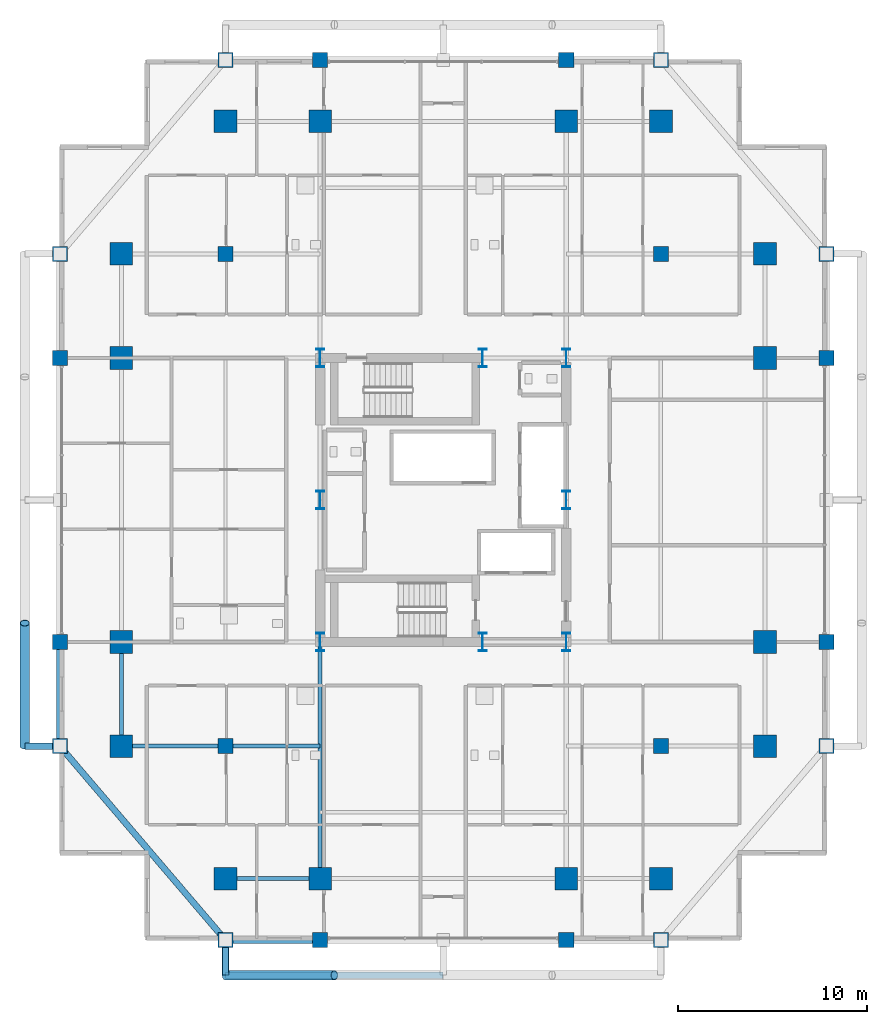
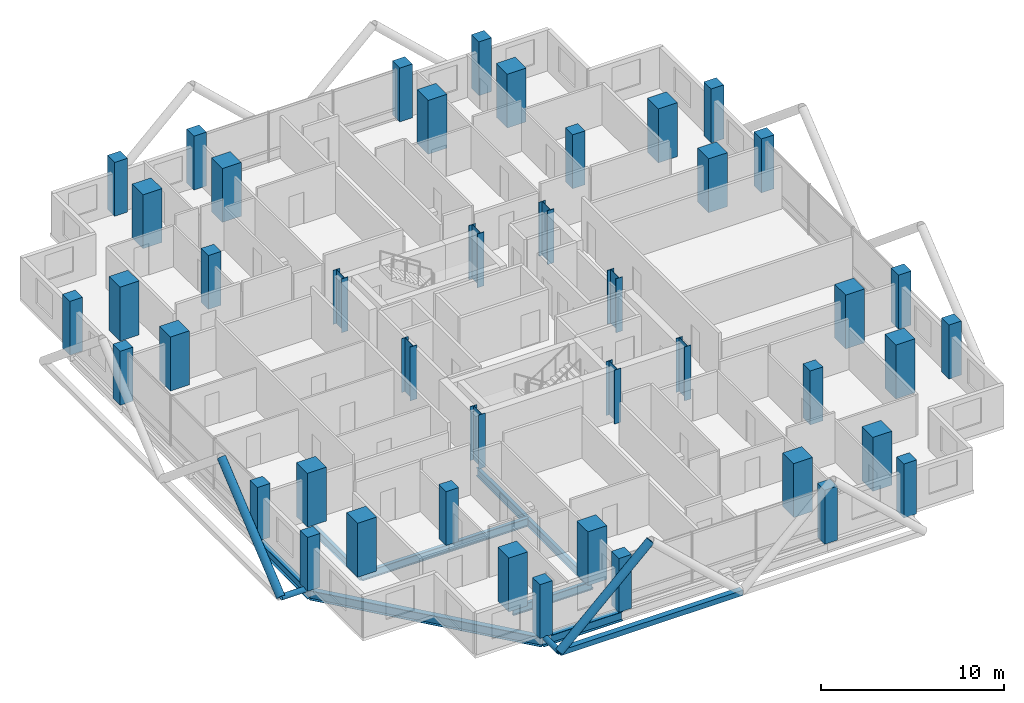
# One storey, part 1 of 25: 44 columns, 8 beams, 5 members.
"""IFC4 building model written with IfcOpenShell, lengths in metres."""

from ifc_helpers import new_model, si_unit, direction, frame, origin, origin_2d, place, context, subcontext, project, spatial, rectangle, hollow_rectangle, hollow_circle, i_section, extrude, material, material_profile, profile_set, type_object, element, save


model = new_model("IFC4")

# Units and contexts
model_context = context("Model", 3, precision=1e-05, world=origin(), true_north=direction((0.0, 1.0)))
body_context = subcontext(model_context, "Body", "Model", "MODEL_VIEW")
ifc_project = project(units=[si_unit("LENGTHUNIT", "METRE"), si_unit("AREAUNIT", "SQUARE_METRE"), si_unit("VOLUMEUNIT", "CUBIC_METRE"), si_unit("PLANEANGLEUNIT", "RADIAN"), si_unit("MASSUNIT", "GRAM", prefix="KILO")], contexts=[model_context])

# Site, building, storey
site_placement = place(None, origin())
site = spatial("IfcSite", under=ifc_project, at=site_placement, CompositionType="ELEMENT")
building_placement = place(site_placement, origin())
building = spatial("IfcBuilding", under=site, at=building_placement, Name="Barlavira Tower and Art Museum", CompositionType="ELEMENT")
storey_placement = place(building_placement, frame((0.0, 0.0, 133.199951171875)))
storey = spatial("IfcBuildingStorey", under=building, at=storey_placement, Name="L33", CompositionType="ELEMENT", Elevation=133.199951171875)

# Columns
ifc_material_1 = material(Name="Steel S355", Category="steel")
ifc_material_profile_1 = material_profile(ifc_material_1, i_section(OverallWidth=0.419921875, OverallDepth=0.9599609375, WebThickness=0.02197265625, FlangeThickness=0.033935546875, at=origin_2d()), Name="W920x387.0")
ifc_profile_set_1 = profile_set([ifc_material_profile_1], Name="Steel S355")
column_type_1 = type_object("IfcColumnType", Name="Core Composite Column W920x387 Steel S355", PredefinedType="COLUMN", material=ifc_profile_set_1)
for number, where, z_axis, x_axis, name in (
    (1, (-6.5, -7.5, 0.0), (0.0, 0.0, 1.0), (1.0, 0.0, 0.0), "L33 Column CC-L33-C1"),
    (2, (2.080078125, -7.5, 0.0), (0.0, 0.0, 1.0), (1.0, 0.0, 0.0), "L33 Column CC-L33-C2"),
    (3, (6.5, -7.5, 0.0), (0.0, 0.0, 1.0), (1.0, 0.0, 0.0), "L33 Column CC-L33-C3"),
    (4, (-6.5, 0.0, 0.0), (0.0, 0.0, 1.0), (1.0, 0.0, 0.0), "L33 Column CC-L33-C4"),
    (5, (6.5, 0.0, 0.0), (0.0, 0.0, 1.0), (1.0, 0.0, 0.0), "L33 Column CC-L33-C5"),
    (6, (-6.5, 7.5, 0.0), (0.0, 0.0, 1.0), (1.0, 0.0, 0.0), "L33 Column CC-L33-C6"),
    (7, (2.080078125, 7.5, 0.0), (0.0, 0.0, 1.0), (1.0, 0.0, 0.0), "L33 Column CC-L33-C7"),
    (8, (6.5, 7.5, 0.0), (0.0, 0.0, 1.0), (1.0, 0.0, 0.0), "L33 Column CC-L33-C8"),
):
    element("IfcColumn", number, at=place(storey_placement, frame(where, z_axis=z_axis, x_axis=x_axis)), inside=storey, type_object=column_type_1, Name=name, PredefinedType="COLUMN", context=body_context, shape_type="SweptSolid", body=[
        extrude(i_section(OverallWidth=0.419921875, OverallDepth=0.9599609375, WebThickness=0.02197265625, FlangeThickness=0.033935546875, at=origin_2d()), origin(), (0.0, 0.0, 1.0), 3.60009765625),
    ])
ifc_material_2 = material(Name="Concrete C60", Category="concrete")
ifc_material_profile_2 = material_profile(ifc_material_2, rectangle(XDim=1.199951171875, YDim=1.199951171875, at=origin_2d()), Name="RC-COL 1200x1200")
ifc_profile_set_2 = profile_set([ifc_material_profile_2], Name="Concrete C60")
column_type_2 = type_object("IfcColumnType", Name="Perimeter Mega Column 1200x1200 Concrete C60", PredefinedType="USERDEFINED", material=ifc_profile_set_2)
for number, where, z_axis, x_axis, name in (
    (9, (-11.5, -20.0, 0.0), (0.0, 0.0, 1.0), (1.0, 0.0, 0.0), "L33 Column MC-L33-M01"),
    (10, (-6.5, -20.0, 0.0), (0.0, 0.0, 1.0), (1.0, 0.0, 0.0), "L33 Column MC-L33-M02"),
    (11, (6.5, -20.0, 0.0), (0.0, 0.0, 1.0), (1.0, 0.0, 0.0), "L33 Column MC-L33-M03"),
    (12, (11.5, -20.0, 0.0), (0.0, 0.0, 1.0), (1.0, 0.0, 0.0), "L33 Column MC-L33-M04"),
    (13, (17.0, -13.0, 0.0), (0.0, 0.0, 1.0), (1.0, 0.0, 0.0), "L33 Column MC-L33-M05"),
    (14, (17.0, -7.5, 0.0), (0.0, 0.0, 1.0), (1.0, 0.0, 0.0), "L33 Column MC-L33-M06"),
    (15, (17.0, 7.5, 0.0), (0.0, 0.0, 1.0), (1.0, 0.0, 0.0), "L33 Column MC-L33-M07"),
    (16, (17.0, 13.0, 0.0), (0.0, 0.0, 1.0), (1.0, 0.0, 0.0), "L33 Column MC-L33-M08"),
    (17, (11.5, 20.0, 0.0), (0.0, 0.0, 1.0), (1.0, 0.0, 0.0), "L33 Column MC-L33-M09"),
    (18, (6.5, 20.0, 0.0), (0.0, 0.0, 1.0), (1.0, 0.0, 0.0), "L33 Column MC-L33-M10"),
    (19, (-6.5, 20.0, 0.0), (0.0, 0.0, 1.0), (1.0, 0.0, 0.0), "L33 Column MC-L33-M11"),
    (20, (-11.5, 20.0, 0.0), (0.0, 0.0, 1.0), (1.0, 0.0, 0.0), "L33 Column MC-L33-M12"),
    (21, (-17.0, 13.0, 0.0), (0.0, 0.0, 1.0), (1.0, 0.0, 0.0), "L33 Column MC-L33-M13"),
    (22, (-17.0, 7.5, 0.0), (0.0, 0.0, 1.0), (1.0, 0.0, 0.0), "L33 Column MC-L33-M14"),
    (23, (-17.0, -7.5, 0.0), (0.0, 0.0, 1.0), (1.0, 0.0, 0.0), "L33 Column MC-L33-M15"),
    (24, (-17.0, -13.0, 0.0), (0.0, 0.0, 1.0), (1.0, 0.0, 0.0), "L33 Column MC-L33-M16"),
):
    element("IfcColumn", number, at=place(storey_placement, frame(where, z_axis=z_axis, x_axis=x_axis)), inside=storey, type_object=column_type_2, Name=name, ObjectType="MEGA COLUMN", PredefinedType="USERDEFINED", context=body_context, shape_type="SweptSolid", body=[
        extrude(rectangle(XDim=1.199951171875, YDim=1.199951171875, at=origin_2d()), origin(), (0.0, 0.0, 1.0), 3.60009765625),
    ])
ifc_material_3 = material(Name="Concrete C50", Category="concrete")
ifc_material_profile_3 = material_profile(ifc_material_3, rectangle(XDim=0.800048828125, YDim=0.800048828125, at=origin_2d()), Name="RC-COL 800x800")
ifc_profile_set_3 = profile_set([ifc_material_profile_3], Name="Concrete C50")
column_type_3 = type_object("IfcColumnType", Name="Podium Frame Column 800x800 Concrete C50", PredefinedType="COLUMN", material=ifc_profile_set_3)
for number, where, z_axis, x_axis, name in (
    (25, (-11.5, -13.0, 0.0), (0.0, 0.0, 1.0), (1.0, 0.0, 0.0), "L33 Column CI-L33-I1"),
    (26, (11.5, -13.0, 0.0), (0.0, 0.0, 1.0), (1.0, 0.0, 0.0), "L33 Column CI-L33-I2"),
    (27, (-11.5, 13.0, 0.0), (0.0, 0.0, 1.0), (1.0, 0.0, 0.0), "L33 Column CI-L33-I3"),
    (28, (11.5, 13.0, 0.0), (0.0, 0.0, 1.0), (1.0, 0.0, 0.0), "L33 Column CI-L33-I4"),
    (29, (-11.5, -23.25, 0.0), (0.0, 0.0, 1.0), (1.0, 0.0, 0.0), "L33 Column CZ2-L33-N01"),
    (30, (-6.5, -23.25, 0.0), (0.0, 0.0, 1.0), (1.0, 0.0, 0.0), "L33 Column CZ2-L33-N02"),
    (31, (6.5, -23.25, 0.0), (0.0, 0.0, 1.0), (1.0, 0.0, 0.0), "L33 Column CZ2-L33-N02B"),
    (32, (11.5, -23.25, 0.0), (0.0, 0.0, 1.0), (1.0, 0.0, 0.0), "L33 Column CZ2-L33-N03"),
    (33, (-20.25, -13.0, 0.0), (0.0, 0.0, 1.0), (1.0, 0.0, 0.0), "L33 Column CZ2-L33-N04"),
    (34, (-20.25, -7.5, 0.0), (0.0, 0.0, 1.0), (1.0, 0.0, 0.0), "L33 Column CZ2-L33-N05"),
    (35, (-20.25, 7.5, 0.0), (0.0, 0.0, 1.0), (1.0, 0.0, 0.0), "L33 Column CZ2-L33-N05B"),
    (36, (-20.25, 13.0, 0.0), (0.0, 0.0, 1.0), (1.0, 0.0, 0.0), "L33 Column CZ2-L33-N06"),
    (37, (-11.5, 23.25, 0.0), (0.0, 0.0, 1.0), (1.0, 0.0, 0.0), "L33 Column CZ2-L33-N07"),
    (38, (-6.5, 23.25, 0.0), (0.0, 0.0, 1.0), (1.0, 0.0, 0.0), "L33 Column CZ2-L33-N08"),
    (39, (6.5, 23.25, 0.0), (0.0, 0.0, 1.0), (1.0, 0.0, 0.0), "L33 Column CZ2-L33-N08B"),
    (40, (11.5, 23.25, 0.0), (0.0, 0.0, 1.0), (1.0, 0.0, 0.0), "L33 Column CZ2-L33-N09"),
    (41, (20.25, -13.0, 0.0), (0.0, 0.0, 1.0), (1.0, 0.0, 0.0), "L33 Column CZ2-L33-N10"),
    (42, (20.25, -7.5, 0.0), (0.0, 0.0, 1.0), (1.0, 0.0, 0.0), "L33 Column CZ2-L33-N11"),
    (43, (20.25, 7.5, 0.0), (0.0, 0.0, 1.0), (1.0, 0.0, 0.0), "L33 Column CZ2-L33-N11B"),
    (44, (20.25, 13.0, 0.0), (0.0, 0.0, 1.0), (1.0, 0.0, 0.0), "L33 Column CZ2-L33-N12"),
):
    element("IfcColumn", number, at=place(storey_placement, frame(where, z_axis=z_axis, x_axis=x_axis)), inside=storey, type_object=column_type_3, Name=name, PredefinedType="COLUMN", context=body_context, shape_type="SweptSolid", body=[
        extrude(rectangle(XDim=0.800048828125, YDim=0.800048828125, at=origin_2d()), origin(), (0.0, 0.0, 1.0), 3.60009765625),
    ])

# Members
ifc_material_profile_4 = material_profile(ifc_material_1, hollow_circle(Radius=0.25390625, WallThickness=0.022216796875, at=origin_2d()), Name="CHS 508.0x22.2")
ifc_profile_set_4 = profile_set([ifc_material_profile_4], Name="Steel S355")
member_type_1 = type_object("IfcMemberType", Name="Pale-Metal Exoskeleton Diagrid Tube CHS 508x22 Steel S355", PredefinedType="BRACE", material=ifc_profile_set_4)
member_1_placement = place(storey_placement, frame((-11.5, -25.10009765625, -0.119873046875), z_axis=(0.728950095515, 0.0, 0.684566839869), x_axis=(0.0, 1.0, 0.0)))
element("IfcMember", 45, at=member_1_placement, inside=storey, type_object=member_type_1, Name="L33 Exoskeleton Diagrid Tube S", PredefinedType="BRACE", context=body_context, shape_type="SweptSolid", body=[
    extrude(hollow_circle(Radius=0.25390625, WallThickness=0.022216796875, at=origin_2d()), origin(), (0.0, 0.0, 1.0), 7.887939453125),
])
member_2_placement = place(storey_placement, frame((-22.10009765625, -13.0, -0.119873046875), z_axis=(0.0, 0.769196053329, 0.639012857104), x_axis=(-1.0, 0.0, 0.0)))
element("IfcMember", 46, at=member_2_placement, inside=storey, type_object=member_type_1, Name="L33 Exoskeleton Diagrid Tube W", PredefinedType="BRACE", context=body_context, shape_type="SweptSolid", body=[
    extrude(hollow_circle(Radius=0.25390625, WallThickness=0.022216796875, at=origin_2d()), origin(), (0.0, 0.0, 1.0), 8.450439453125),
])
ifc_material_profile_5 = material_profile(ifc_material_1, hollow_rectangle(XDim=0.35009765625, YDim=0.35009765625, WallThickness=0.02001953125, at=origin_2d()), Name="SHS 350x350x20.0")
ifc_profile_set_5 = profile_set([ifc_material_profile_5], Name="Steel S355")
member_type_2 = type_object("IfcMemberType", Name="Pale-Metal Exoskeleton Ring Strut SHS 350x350x20 Steel S355", PredefinedType="STRUT", material=ifc_profile_set_5)
member_3_placement = place(storey_placement, frame((-11.5, -25.10009765625, -0.119873046875), z_axis=(1.0, 0.0, 0.0), x_axis=(0.0, 1.0, 0.0)))
element("IfcMember", 47, at=member_3_placement, inside=storey, type_object=member_type_2, Name="L33 Exoskeleton Ring Strut S", PredefinedType="STRUT", context=body_context, shape_type="SweptSolid", body=[
    extrude(hollow_rectangle(XDim=0.35009765625, YDim=0.35009765625, WallThickness=0.02001953125, at=origin_2d()), origin(), (0.0, 0.0, 1.0), 11.5),
])
ifc_material_profile_6 = material_profile(ifc_material_1, hollow_circle(Radius=0.177734375, WallThickness=0.01611328125, at=origin_2d()), Name="CHS 355.6x16.0")
ifc_profile_set_6 = profile_set([ifc_material_profile_6], Name="Steel S355")
member_type_3 = type_object("IfcMemberType", Name="Pale-Metal Exoskeleton Tie Strut CHS 356x16 Steel S355", PredefinedType="STRUT", material=ifc_profile_set_6)
for number, where, z_axis, x_axis, name in (
    (48, (-11.5, -25.10009765625, -0.119873046875), (0.0, 1.0, 0.0), (-1.0, 0.0, 0.0), "L33 Exoskeleton Tie Strut S1"),
    (49, (-22.10009765625, -13.0, -0.119873046875), (1.0, 0.0, 0.0), (0.0, 1.0, 0.0), "L33 Exoskeleton Tie Strut W1"),
):
    element("IfcMember", number, at=place(storey_placement, frame(where, z_axis=z_axis, x_axis=x_axis)), inside=storey, type_object=member_type_3, Name=name, PredefinedType="STRUT", context=body_context, shape_type="SweptSolid", body=[
        extrude(hollow_circle(Radius=0.177734375, WallThickness=0.01611328125, at=origin_2d()), origin(), (0.0, 0.0, 1.0), 1.85009765625),
    ])

# Beams
ifc_material_profile_7 = material_profile(ifc_material_1, i_section(OverallWidth=0.327880859375, OverallDepth=0.62890625, WebThickness=0.013916015625, FlangeThickness=0.021484375, at=origin_2d()), Name="W610x174.0")
ifc_profile_set_7 = profile_set([ifc_material_profile_7], Name="Steel S355")
beam_type_1 = type_object("IfcBeamType", Name="Perimeter Spandrel Edge Beam W610x174 Steel S355", PredefinedType="SPANDREL", material=ifc_profile_set_7)
beam_1_placement = place(storey_placement, frame((-11.5, -23.25, -0.534423828125), z_axis=(1.0, 0.0, 0.0), x_axis=(0.0, 1.0, 0.0)))
element("IfcBeam", 50, at=beam_1_placement, inside=storey, type_object=beam_type_1, Name="L33 Spandrel 1", PredefinedType="SPANDREL", context=body_context, shape_type="SweptSolid", body=[
    extrude(i_section(OverallWidth=0.327880859375, OverallDepth=0.62890625, WebThickness=0.013916015625, FlangeThickness=0.021484375, at=origin_2d()), origin(), (0.0, 0.0, 1.0), 5.0),
])
beam_2_placement = place(storey_placement, frame((-20.25, -13.0, -0.534423828125), z_axis=(0.0, 1.0, 0.0), x_axis=(-1.0, 0.0, 0.0)))
element("IfcBeam", 51, at=beam_2_placement, inside=storey, type_object=beam_type_1, Name="L33 Spandrel 15", PredefinedType="SPANDREL", context=body_context, shape_type="SweptSolid", body=[
    extrude(i_section(OverallWidth=0.327880859375, OverallDepth=0.62890625, WebThickness=0.013916015625, FlangeThickness=0.021484375, at=origin_2d()), origin(), (0.0, 0.0, 1.0), 5.5),
])
beam_3_placement = place(storey_placement, frame((-20.25, -13.0, -0.534423828125), z_axis=(0.649262379928, -0.760564502202, 0.0), x_axis=(0.760564502202, 0.649262379928, 0.0)))
element("IfcBeam", 52, at=beam_3_placement, inside=storey, type_object=beam_type_1, Name="L33 Spandrel 16", PredefinedType="SPANDREL", context=body_context, shape_type="SweptSolid", body=[
    extrude(i_section(OverallWidth=0.327880859375, OverallDepth=0.62890625, WebThickness=0.013916015625, FlangeThickness=0.021484375, at=origin_2d()), origin(), (0.0, 0.0, 1.0), 13.476806640625),
])
ifc_material_profile_8 = material_profile(ifc_material_1, i_section(OverallWidth=0.214111328125, OverallDepth=0.549072265625, WebThickness=0.0146484375, FlangeThickness=0.023681640625, at=origin_2d()), Name="W530x138.0")
ifc_profile_set_8 = profile_set([ifc_material_profile_8], Name="Steel S355")
beam_type_2 = type_object("IfcBeamType", Name="Zone 1 Primary Floor Girder W530x138 Steel S355", PredefinedType="BEAM", material=ifc_profile_set_8)
beam_4_placement = place(storey_placement, frame((-11.5, -20.0, -0.494384765625), z_axis=(1.0, 0.0, 0.0), x_axis=(0.0, 1.0, 0.0)))
element("IfcBeam", 53, at=beam_4_placement, inside=storey, type_object=beam_type_2, Name="L33 Girder M-S1", PredefinedType="BEAM", context=body_context, shape_type="SweptSolid", body=[
    extrude(i_section(OverallWidth=0.214111328125, OverallDepth=0.549072265625, WebThickness=0.0146484375, FlangeThickness=0.023681640625, at=origin_2d()), origin(), (0.0, 0.0, 1.0), 5.0),
])
beam_5_placement = place(storey_placement, frame((-17.0, -13.0, -0.494384765625), z_axis=(0.0, 1.0, 0.0), x_axis=(-1.0, 0.0, 0.0)))
element("IfcBeam", 54, at=beam_5_placement, inside=storey, type_object=beam_type_2, Name="L33 Girder M-W1", PredefinedType="BEAM", context=body_context, shape_type="SweptSolid", body=[
    extrude(i_section(OverallWidth=0.214111328125, OverallDepth=0.549072265625, WebThickness=0.0146484375, FlangeThickness=0.023681640625, at=origin_2d()), origin(), (0.0, 0.0, 1.0), 5.5),
])
beam_6_placement = place(storey_placement, frame((-6.5, -20.0, -0.494384765625), z_axis=(0.0, 1.0, 0.0), x_axis=(-1.0, 0.0, 0.0)))
element("IfcBeam", 55, at=beam_6_placement, inside=storey, type_object=beam_type_2, Name="L33 Girder R-S1", PredefinedType="BEAM", context=body_context, shape_type="SweptSolid", body=[
    extrude(i_section(OverallWidth=0.214111328125, OverallDepth=0.549072265625, WebThickness=0.0146484375, FlangeThickness=0.023681640625, at=origin_2d()), origin(), (0.0, 0.0, 1.0), 12.5),
])
beam_7_placement = place(storey_placement, frame((-17.0, -13.0, -0.494384765625), z_axis=(1.0, 0.0, 0.0), x_axis=(0.0, 1.0, 0.0)))
element("IfcBeam", 56, at=beam_7_placement, inside=storey, type_object=beam_type_2, Name="L33 Girder I-S1", PredefinedType="BEAM", context=body_context, shape_type="SweptSolid", body=[
    extrude(i_section(OverallWidth=0.214111328125, OverallDepth=0.549072265625, WebThickness=0.0146484375, FlangeThickness=0.023681640625, at=origin_2d()), origin(), (0.0, 0.0, 1.0), 5.5),
])
beam_8_placement = place(storey_placement, frame((-11.5, -13.0, -0.494384765625), z_axis=(1.0, 0.0, 0.0), x_axis=(0.0, 1.0, 0.0)))
element("IfcBeam", 57, at=beam_8_placement, inside=storey, type_object=beam_type_2, Name="L33 Girder I-S2", PredefinedType="BEAM", context=body_context, shape_type="SweptSolid", body=[
    extrude(i_section(OverallWidth=0.214111328125, OverallDepth=0.549072265625, WebThickness=0.0146484375, FlangeThickness=0.023681640625, at=origin_2d()), origin(), (0.0, 0.0, 1.0), 5.0),
])

save(model, "model.ifc")
